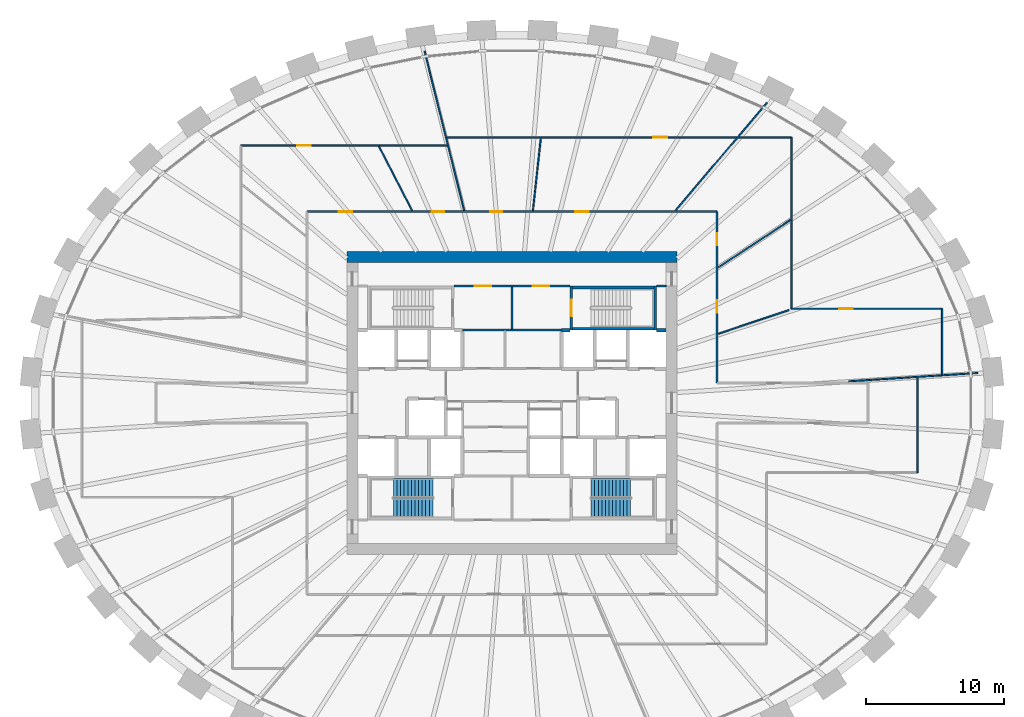
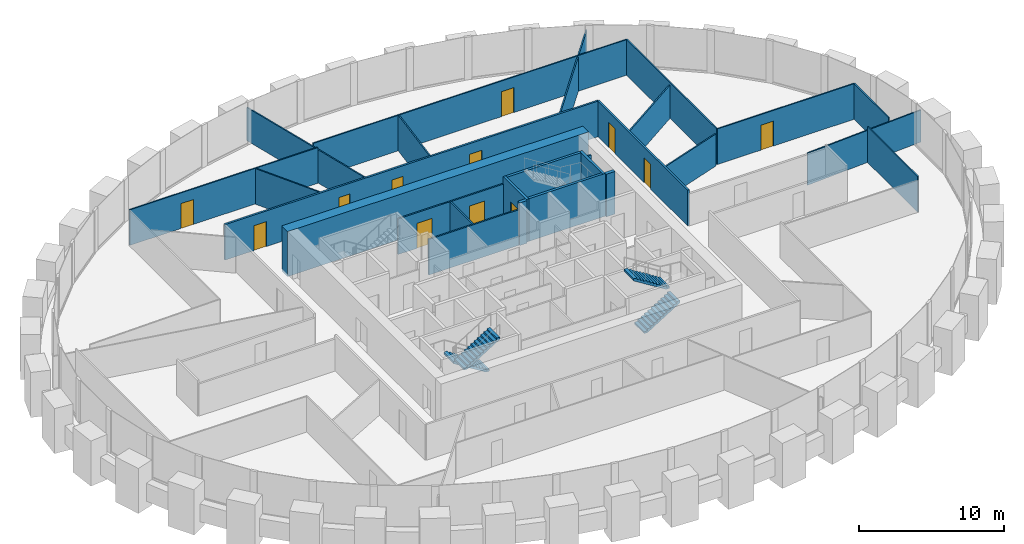
# One storey, part 9 of 11: 26 walls, 12 doors, 4 stair flights, 12 openings, 2 elements without a shape of their own.
"""IFC4 building model written with IfcOpenShell, lengths in metres."""

from ifc_helpers import new_model, si_unit, direction, frame, frame_2d, origin, place, context, subcontext, project, spatial, polyline, rectangle, outline, extrude, source, transform, mapped, material, layer, layer_set, type_object, element, fill, aggregate, save


model = new_model("IFC4")

# Units and contexts
model_context = context("Model", 3, precision=1e-05, world=origin(), true_north=direction((0.0, 1.0)))
body_context = subcontext(model_context, "Body", "Model", "MODEL_VIEW")
ifc_project = project(units=[si_unit("LENGTHUNIT", "METRE"), si_unit("AREAUNIT", "SQUARE_METRE"), si_unit("VOLUMEUNIT", "CUBIC_METRE"), si_unit("PLANEANGLEUNIT", "RADIAN"), si_unit("MASSUNIT", "GRAM", prefix="KILO")], contexts=[model_context])

# Site, building, storey
site_placement = place(None, origin())
site = spatial("IfcSite", under=ifc_project, at=site_placement, CompositionType="ELEMENT")
building_placement = place(site_placement, origin())
building = spatial("IfcBuilding", under=site, at=building_placement, Name="Embergate Tower", CompositionType="ELEMENT")
storey_placement = place(building_placement, frame((0.0, 0.0, 230.699951171875)))
storey = spatial("IfcBuildingStorey", under=building, at=storey_placement, Name="L53", CompositionType="ELEMENT", Elevation=230.699951171875)

# Walls
ifc_material_1 = material(Name="Concrete C70", Category="concrete")
ifc_layer_1 = layer(ifc_material_1, 0.800048828125)
ifc_layer_set_1 = layer_set([ifc_layer_1], Name="Concrete C70")
wall_type_1 = type_object("IfcWallType", Name="Core outer wall C70 800", PredefinedType="SHEAR", material=ifc_layer_set_1)
shared_shape_1 = source(origin(), body_context, "Body", "SweptSolid", [
    extrude(rectangle(XDim=24.0, YDim=0.800048828125, at=frame_2d((12.0, 0.0))), origin(), (0.0, 0.0, 1.0), 3.800048828125),
])
wall_1_placement = place(storey_placement, frame((-12.0, 10.60009765625, -0.199951171875), z_axis=(0.0, 0.0, 1.0), x_axis=(1.0, 0.0, 0.0)))
element("IfcWall", 1, at=wall_1_placement, inside=storey, type_object=wall_type_1, Name="CW-L53-N", PredefinedType="SHEAR", context=body_context, shape_type="MappedRepresentation", body=[
    mapped(shared_shape_1, transform((0.0, 0.0, 0.0))),
])
ifc_material_2 = material(Name="Concrete C50", Category="concrete")
ifc_layer_2 = layer(ifc_material_2, 0.199951171875)
ifc_layer_set_2 = layer_set([ifc_layer_2], Name="Concrete C50")
wall_type_2 = type_object("IfcWallType", Name="Stair enclosure wall reinforced concrete 250", PredefinedType="SHEAR", material=ifc_layer_set_2)
shared_shape_2 = source(origin(), body_context, "Body", "SweptSolid", [
    extrude(rectangle(XDim=6.300048828125, YDim=0.199951171875, at=frame_2d((3.14990234375, 0.0))), origin(), (0.0, 0.0, 1.0), 3.60009765625),
])
for number, where, z_axis, x_axis, name in (
    (2, (10.5, 5.39990234375, 0.0), (0.0, 0.0, 1.0), (-1.0, 0.0, 0.0), "SE-1 wall"),
    (3, (10.5, 8.39990234375, 0.0), (0.0, 0.0, 1.0), (-1.0, 0.0, 0.0), "SE-1 wall"),
):
    element("IfcWall", number, at=place(storey_placement, frame(where, z_axis=z_axis, x_axis=x_axis)), inside=storey, type_object=wall_type_2, Name=name, PredefinedType="SHEAR", context=body_context, shape_type="MappedRepresentation", body=[
        mapped(shared_shape_2, transform((0.0, 0.0, 0.0))),
    ])

# Wall, opening, door
shared_shape_3 = source(origin(), body_context, "Body", "SweptSolid", [
    extrude(rectangle(XDim=3.199951171875, YDim=0.199951171875, at=frame_2d((1.60009765625, 0.0))), origin(), (0.0, 0.0, 1.0), 3.60009765625),
])
wall_2_placement = place(storey_placement, frame((4.300048828125, 8.5, 0.0), z_axis=(0.0, 0.0, 1.0), x_axis=(0.0, -1.0, 0.0)))
wall_2 = element("IfcWall", 4, at=wall_2_placement, inside=storey, type_object=wall_type_2, Name="SE-1 wall", PredefinedType="SHEAR", context=body_context, shape_type="MappedRepresentation", body=[
    mapped(shared_shape_3, transform((0.0, 0.0, 0.0))),
])
shared_shape_4 = source(origin(), body_context, "Body", "SweptSolid", [
    extrude(rectangle(XDim=1.199951171875, YDim=2.10009765625, at=frame_2d((0.60009765625, 1.050048828125))), frame((0.0, 0.10986328125, 0.0), z_axis=(0.0, -1.0, 0.0), x_axis=(1.0, 0.0, 0.0)), (0.0, 0.0, 1.0), 0.219970703125),
])
opening_1_placement = place(wall_2_placement, frame((1.0, 0.0, 0.0)))
opening_1 = element("IfcOpeningElement", 5, at=opening_1_placement, cuts=wall_2, Name="Opening IF-2", PredefinedType="OPENING", context=body_context, shape_type="MappedRepresentation", body=[
    mapped(shared_shape_4, transform((0.0, 0.0, 0.0))),
])
ifc_material_3 = material(Name="Stair enclosure door 1200")
door_type_1 = type_object("IfcDoorType", Name="Stair enclosure door 1200", OperationType="SINGLE_SWING_LEFT", PredefinedType="DOOR", material=ifc_material_3)
shared_shape_5 = source(origin(), body_context, "Body", "SweptSolid", [
    extrude(rectangle(XDim=1.199951171875, YDim=2.10009765625, at=frame_2d((0.60009765625, 1.050048828125))), frame((0.0, 0.02490234375, 0.0), z_axis=(0.0, -1.0, 0.0), x_axis=(1.0, 0.0, 0.0)), (0.0, 0.0, 1.0), 0.050048828125),
])
door_1_placement = place(opening_1_placement, origin())
door_1 = element("IfcDoor", 6, at=door_1_placement, inside=storey, type_object=door_type_1, Name="IF-2 door", OperationType="SINGLE_SWING_RIGHT", OverallHeight=2.10009765625, OverallWidth=1.199951171875, PredefinedType="DOOR", context=body_context, shape_type="MappedRepresentation", body=[
    mapped(shared_shape_5, transform((0.0, 0.0, 0.0))),
])
fill(opening_1, door_1)

# Wall, openings, doors
ifc_material_4 = material(Name="Core partition blockwork 120")
ifc_layer_3 = layer(ifc_material_4, 0.1201171875)
ifc_layer_set_3 = layer_set([ifc_layer_3], Name="Core partition blockwork 120")
wall_type_3 = type_object("IfcWallType", Name="Core partition blockwork 120", PredefinedType="PARTITIONING", material=ifc_layer_set_3)
shared_shape_6 = source(origin(), body_context, "Body", "SweptSolid", [
    extrude(rectangle(XDim=8.39990234375, YDim=0.1201171875, at=frame_2d((4.199951171875, 0.0))), origin(), (0.0, 0.0, 1.0), 3.0),
])
wall_3_placement = place(storey_placement, frame((4.199951171875, 8.5, 0.0), z_axis=(0.0, 0.0, 1.0), x_axis=(-1.0, 0.0, 0.0)))
wall_3 = element("IfcWall", 7, at=wall_3_placement, inside=storey, type_object=wall_type_3, Name="IP-3 wall", PredefinedType="PARTITIONING", context=body_context, shape_type="MappedRepresentation", body=[
    mapped(shared_shape_6, transform((0.0, 0.0, 0.0))),
])
shared_shape_7 = source(origin(), body_context, "Body", "SweptSolid", [
    extrude(rectangle(XDim=1.199951171875, YDim=2.10009765625, at=frame_2d((0.60009765625, 1.050048828125))), frame((0.0, 0.070068359375, 0.0), z_axis=(0.0, -1.0, 0.0), x_axis=(1.0, 0.0, 0.0)), (0.0, 0.0, 1.0), 0.14013671875),
])
opening_2_placement = place(wall_3_placement, frame((5.699951171875, 0.0, 0.0)))
opening_2 = element("IfcOpeningElement", 8, at=opening_2_placement, cuts=wall_3, Name="Opening IF-3f", PredefinedType="OPENING", context=body_context, shape_type="MappedRepresentation", body=[
    mapped(shared_shape_7, transform((0.0, 0.0, 0.0))),
])
opening_3_placement = place(wall_3_placement, frame((1.5, 0.0, 0.0)))
opening_3 = element("IfcOpeningElement", 9, at=opening_3_placement, cuts=wall_3, Name="Opening IF-3f", PredefinedType="OPENING", context=body_context, shape_type="MappedRepresentation", body=[
    mapped(shared_shape_7, transform((0.0, 0.0, 0.0))),
])
ifc_material_5 = material(Name="Lobby fire door pair 1200")
door_type_2 = type_object("IfcDoorType", Name="Lobby fire door pair 1200", OperationType="DOUBLE_DOOR_SINGLE_SWING", PredefinedType="DOOR", material=ifc_material_5)
door_2_placement = place(opening_2_placement, origin())
door_2 = element("IfcDoor", 10, at=door_2_placement, inside=storey, type_object=door_type_2, Name="IF-3 door", OperationType="DOUBLE_DOOR_SINGLE_SWING", OverallHeight=2.10009765625, OverallWidth=1.199951171875, PredefinedType="DOOR", context=body_context, shape_type="MappedRepresentation", body=[
    mapped(shared_shape_5, transform((0.0, 0.0, 0.0))),
])
fill(opening_2, door_2)
door_3_placement = place(opening_3_placement, origin())
door_3 = element("IfcDoor", 11, at=door_3_placement, inside=storey, type_object=door_type_2, Name="IF-3 door", OperationType="DOUBLE_DOOR_SINGLE_SWING", OverallHeight=2.10009765625, OverallWidth=1.199951171875, PredefinedType="DOOR", context=body_context, shape_type="MappedRepresentation", body=[
    mapped(shared_shape_5, transform((0.0, 0.0, 0.0))),
])
fill(opening_3, door_3)

# Walls
ifc_layer_4 = layer(ifc_material_2, 0.25)
ifc_layer_set_4 = layer_set([ifc_layer_4], Name="Concrete C50")
wall_type_4 = type_object("IfcWallType", Name="Hoistway wall reinforced concrete 250", PredefinedType="SHEAR", material=ifc_layer_set_4)
shared_shape_8 = source(origin(), body_context, "Body", "SweptSolid", [
    extrude(rectangle(XDim=0.599853515625, YDim=0.25, at=frame_2d((0.2998046875, 0.0))), origin(), (0.0, 0.0, 1.0), 3.60009765625),
])
wall_4_placement = place(storey_placement, frame((4.199951171875, 5.300048828125, 0.0), z_axis=(0.0, 0.0, 1.0), x_axis=(-1.0, 0.0, 0.0)))
element("IfcWall", 12, at=wall_4_placement, inside=storey, type_object=wall_type_4, Name="HW-1 wall", PredefinedType="SHEAR", context=body_context, shape_type="MappedRepresentation", body=[
    mapped(shared_shape_8, transform((0.0, 0.0, 0.0))),
])
shared_shape_9 = source(origin(), body_context, "Body", "SweptSolid", [
    extrude(rectangle(XDim=7.2001953125, YDim=0.1201171875, at=frame_2d((3.60009765625, 0.0))), origin(), (0.0, 0.0, 1.0), 3.0),
])
wall_5_placement = place(storey_placement, frame((-3.60009765625, 5.300048828125, 0.0), z_axis=(0.0, 0.0, 1.0), x_axis=(1.0, 0.0, 0.0)))
element("IfcWall", 13, at=wall_5_placement, inside=storey, type_object=wall_type_3, Name="IP-3 wall", PredefinedType="PARTITIONING", context=body_context, shape_type="MappedRepresentation", body=[
    mapped(shared_shape_9, transform((0.0, 0.0, 0.0))),
])
shared_shape_10 = source(origin(), body_context, "Body", "SweptSolid", [
    extrude(rectangle(XDim=3.079833984375, YDim=0.1201171875, at=frame_2d((1.5400390625, 0.0))), origin(), (0.0, 0.0, 1.0), 3.0),
])
wall_6_placement = place(storey_placement, frame((0.0, 5.360107421875, 0.0), z_axis=(0.0, 0.0, 1.0), x_axis=(0.0, 1.0, 0.0)))
element("IfcWall", 14, at=wall_6_placement, inside=storey, type_object=wall_type_3, Name="IP-3 wall", PredefinedType="PARTITIONING", context=body_context, shape_type="MappedRepresentation", body=[
    mapped(shared_shape_10, transform((0.0, 0.0, 0.0))),
])
shared_shape_11 = source(origin(), body_context, "Body", "SweptSolid", [
    extrude(rectangle(XDim=3.196044921875, YDim=0.199951171875, at=frame_2d((1.59814453125, 0.0))), origin(), (0.0, 0.0, 1.0), 3.60009765625),
])
wall_7_placement = place(storey_placement, frame((10.39990234375, 5.302001953125, 0.0), z_axis=(0.0, 0.0, 1.0), x_axis=(0.0, 1.0, 0.0)))
element("IfcWall", 15, at=wall_7_placement, inside=storey, type_object=wall_type_2, Name="SE-1 wall", PredefinedType="SHEAR", context=body_context, shape_type="MappedRepresentation", body=[
    mapped(shared_shape_11, transform((0.0, 0.0, 0.0))),
])
shared_shape_12 = source(origin(), body_context, "Body", "SweptSolid", [
    extrude(rectangle(XDim=0.697998046875, YDim=0.25, at=frame_2d((0.34912109375, 0.0))), origin(), (0.0, 0.0, 1.0), 3.60009765625),
])
wall_8_placement = place(storey_placement, frame((11.199951171875, 5.300048828125, 0.0), z_axis=(0.0, 0.0, 1.0), x_axis=(-1.0, 0.0, 0.0)))
element("IfcWall", 16, at=wall_8_placement, inside=storey, type_object=wall_type_4, Name="HW-1 wall", PredefinedType="SHEAR", context=body_context, shape_type="MappedRepresentation", body=[
    mapped(shared_shape_12, transform((0.0, 0.0, 0.0))),
])
shared_shape_13 = source(origin(), body_context, "Body", "SweptSolid", [
    extrude(rectangle(XDim=0.697998046875, YDim=0.1201171875, at=frame_2d((0.34912109375, 0.0))), origin(), (0.0, 0.0, 1.0), 3.0),
])
wall_9_placement = place(storey_placement, frame((10.501953125, 8.5, 0.0), z_axis=(0.0, 0.0, 1.0), x_axis=(1.0, 0.0, 0.0)))
element("IfcWall", 17, at=wall_9_placement, inside=storey, type_object=wall_type_3, Name="IP-3 wall", PredefinedType="PARTITIONING", context=body_context, shape_type="MappedRepresentation", body=[
    mapped(shared_shape_13, transform((0.0, 0.0, 0.0))),
])

# Wall, opening, door
ifc_material_6 = material(Name="Partition dry-lined 100")
ifc_layer_5 = layer(ifc_material_6, 0.10009765625)
ifc_layer_set_5 = layer_set([ifc_layer_5], Name="Partition dry-lined 100")
wall_type_5 = type_object("IfcWallType", Name="Partition dry-lined 100", PredefinedType="PARTITIONING", material=ifc_layer_set_5)
shared_shape_14 = source(origin(), body_context, "Body", "SweptSolid", [
    extrude(rectangle(XDim=10.949951171875, YDim=0.10009765625, at=frame_2d((5.47509765625, 0.0))), origin(), (0.0, 0.0, 1.0), 3.0),
])
wall_10_placement = place(storey_placement, frame((20.300048828125, 6.85009765625, 0.0), z_axis=(0.0, 0.0, 1.0), x_axis=(1.0, 0.0, 0.0)))
wall_10 = element("IfcWall", 18, at=wall_10_placement, inside=storey, type_object=wall_type_5, Name="IP-1 wall", PredefinedType="PARTITIONING", context=body_context, shape_type="MappedRepresentation", body=[
    mapped(shared_shape_14, transform((0.0, 0.0, 0.0))),
])
shared_shape_15 = source(origin(), body_context, "Body", "SweptSolid", [
    extrude(rectangle(XDim=1.0, YDim=2.10009765625, at=frame_2d((0.5, 1.050048828125))), frame((0.0, 0.06005859375, 0.0), z_axis=(0.0, -1.0, 0.0), x_axis=(1.0, 0.0, 0.0)), (0.0, 0.0, 1.0), 0.1201171875),
])
opening_4_placement = place(wall_10_placement, frame((3.45703125, 0.0, 0.0)))
opening_4 = element("IfcOpeningElement", 19, at=opening_4_placement, cuts=wall_10, Name="Opening ID-2", PredefinedType="OPENING", context=body_context, shape_type="MappedRepresentation", body=[
    mapped(shared_shape_15, transform((0.0, 0.0, 0.0))),
])
ifc_material_7 = material(Name="Interior door 1000")
door_type_3 = type_object("IfcDoorType", Name="Interior door 1000", OperationType="SINGLE_SWING_LEFT", PredefinedType="DOOR", material=ifc_material_7)
shared_shape_16 = source(origin(), body_context, "Body", "SweptSolid", [
    extrude(rectangle(XDim=1.0, YDim=2.10009765625, at=frame_2d((0.5, 1.050048828125))), frame((0.0, 0.02490234375, 0.0), z_axis=(0.0, -1.0, 0.0), x_axis=(1.0, 0.0, 0.0)), (0.0, 0.0, 1.0), 0.050048828125),
])
door_4_placement = place(opening_4_placement, origin())
door_4 = element("IfcDoor", 20, at=door_4_placement, inside=storey, type_object=door_type_3, Name="ID-2 door", OperationType="SINGLE_SWING_LEFT", OverallHeight=2.10009765625, OverallWidth=1.0, PredefinedType="DOOR", context=body_context, shape_type="MappedRepresentation", body=[
    mapped(shared_shape_16, transform((0.0, 0.0, 0.0))),
])
fill(opening_4, door_4)

# Wall, openings, doors
ifc_material_8 = material(Name="Corridor wall dry-lined 150")
ifc_layer_6 = layer(ifc_material_8, 0.14990234375)
ifc_layer_set_6 = layer_set([ifc_layer_6], Name="Corridor wall dry-lined 150")
wall_type_6 = type_object("IfcWallType", Name="Corridor wall dry-lined 150", PredefinedType="PARTITIONING", material=ifc_layer_set_6)
shared_shape_17 = source(origin(), body_context, "Body", "SweptSolid", [
    extrude(rectangle(XDim=29.7998046875, YDim=0.14990234375, at=frame_2d((14.89990234375, 0.0))), origin(), (0.0, 0.0, 1.0), 3.0),
])
wall_11_placement = place(storey_placement, frame((-14.89990234375, 13.89990234375, 0.0), z_axis=(0.0, 0.0, 1.0), x_axis=(1.0, 0.0, 0.0)))
wall_11 = element("IfcWall", 21, at=wall_11_placement, inside=storey, type_object=wall_type_6, Name="IP-2 wall", PredefinedType="PARTITIONING", context=body_context, shape_type="MappedRepresentation", body=[
    mapped(shared_shape_17, transform((0.0, 0.0, 0.0))),
])
shared_shape_18 = source(origin(), body_context, "Body", "SweptSolid", [
    extrude(rectangle(XDim=1.0, YDim=2.10009765625, at=frame_2d((0.5, 1.050048828125))), frame((0.0, 0.0849609375, 0.0), z_axis=(0.0, -1.0, 0.0), x_axis=(1.0, 0.0, 0.0)), (0.0, 0.0, 1.0), 0.169921875),
])
opening_5_placement = place(wall_11_placement, frame((19.492919921875, 0.0, 0.0)))
opening_5 = element("IfcOpeningElement", 22, at=opening_5_placement, cuts=wall_11, Name="Opening ID-2", PredefinedType="OPENING", context=body_context, shape_type="MappedRepresentation", body=[
    mapped(shared_shape_18, transform((0.0, 0.0, 0.0))),
])
shared_shape_19 = source(origin(), body_context, "Body", "SweptSolid", [
    extrude(rectangle(XDim=0.89990234375, YDim=2.10009765625, at=frame_2d((0.449951171875, 1.050048828125))), frame((0.0, 0.0849609375, 0.0), z_axis=(0.0, -1.0, 0.0), x_axis=(1.0, 0.0, 0.0)), (0.0, 0.0, 1.0), 0.169921875),
])
opening_6_placement = place(wall_11_placement, frame((13.305908203125, 0.0, 0.0)))
opening_6 = element("IfcOpeningElement", 23, at=opening_6_placement, cuts=wall_11, Name="Opening IF-1c", PredefinedType="OPENING", context=body_context, shape_type="MappedRepresentation", body=[
    mapped(shared_shape_19, transform((0.0, 0.0, 0.0))),
])
opening_7_placement = place(wall_11_placement, frame((9.073974609375, 0.0, 0.0)))
opening_7 = element("IfcOpeningElement", 24, at=opening_7_placement, cuts=wall_11, Name="Opening IF-1c", PredefinedType="OPENING", context=body_context, shape_type="MappedRepresentation", body=[
    mapped(shared_shape_19, transform((0.0, 0.0, 0.0))),
])
opening_8_placement = place(wall_11_placement, frame((2.31005859375, 0.0, 0.0)))
opening_8 = element("IfcOpeningElement", 25, at=opening_8_placement, cuts=wall_11, Name="Opening ID-2", PredefinedType="OPENING", context=body_context, shape_type="MappedRepresentation", body=[
    mapped(shared_shape_18, transform((0.0, 0.0, 0.0))),
])
ifc_material_9 = material(Name="Escape fire door 900")
door_type_4 = type_object("IfcDoorType", Name="Escape fire door 900", OperationType="SINGLE_SWING_LEFT", PredefinedType="DOOR", material=ifc_material_9)
shared_shape_20 = source(origin(), body_context, "Body", "SweptSolid", [
    extrude(rectangle(XDim=0.89990234375, YDim=2.10009765625, at=frame_2d((0.449951171875, 1.050048828125))), frame((0.0, 0.02490234375, 0.0), z_axis=(0.0, -1.0, 0.0), x_axis=(1.0, 0.0, 0.0)), (0.0, 0.0, 1.0), 0.050048828125),
])
door_5_placement = place(opening_6_placement, origin())
door_5 = element("IfcDoor", 26, at=door_5_placement, inside=storey, type_object=door_type_4, Name="IF-1 door", OperationType="SINGLE_SWING_RIGHT", OverallHeight=2.10009765625, OverallWidth=0.89990234375, PredefinedType="DOOR", context=body_context, shape_type="MappedRepresentation", body=[
    mapped(shared_shape_20, transform((0.0, 0.0, 0.0))),
])
fill(opening_6, door_5)
door_6_placement = place(opening_7_placement, origin())
door_6 = element("IfcDoor", 27, at=door_6_placement, inside=storey, type_object=door_type_4, Name="IF-1 door", OperationType="SINGLE_SWING_RIGHT", OverallHeight=2.10009765625, OverallWidth=0.89990234375, PredefinedType="DOOR", context=body_context, shape_type="MappedRepresentation", body=[
    mapped(shared_shape_20, transform((0.0, 0.0, 0.0))),
])
fill(opening_7, door_6)
door_7_placement = place(opening_5_placement, origin())
door_7 = element("IfcDoor", 28, at=door_7_placement, inside=storey, type_object=door_type_3, Name="ID-2 door", OperationType="SINGLE_SWING_LEFT", OverallHeight=2.10009765625, OverallWidth=1.0, PredefinedType="DOOR", context=body_context, shape_type="MappedRepresentation", body=[
    mapped(shared_shape_16, transform((0.0, 0.0, 0.0))),
])
fill(opening_5, door_7)
door_8_placement = place(opening_8_placement, origin())
door_8 = element("IfcDoor", 29, at=door_8_placement, inside=storey, type_object=door_type_3, Name="ID-2 door", OperationType="SINGLE_SWING_RIGHT", OverallHeight=2.10009765625, OverallWidth=1.0, PredefinedType="DOOR", context=body_context, shape_type="MappedRepresentation", body=[
    mapped(shared_shape_16, transform((0.0, 0.0, 0.0))),
])
fill(opening_8, door_8)

shared_shape_21 = source(origin(), body_context, "Body", "SweptSolid", [
    extrude(rectangle(XDim=12.449951171875, YDim=0.14990234375, at=frame_2d((6.22509765625, 0.0))), origin(), (0.0, 0.0, 1.0), 3.0),
])
wall_12_placement = place(storey_placement, frame((14.89990234375, 1.449951171875, 0.0), z_axis=(0.0, 0.0, 1.0), x_axis=(0.0, 1.0, 0.0)))
wall_12 = element("IfcWall", 30, at=wall_12_placement, inside=storey, type_object=wall_type_6, Name="IP-2 wall", PredefinedType="PARTITIONING", context=body_context, shape_type="MappedRepresentation", body=[
    mapped(shared_shape_21, transform((0.0, 0.0, 0.0))),
])
opening_9_placement = place(wall_12_placement, frame((5.10302734375, 0.0, 0.0)))
opening_9 = element("IfcOpeningElement", 31, at=opening_9_placement, cuts=wall_12, Name="Opening IF-1c", PredefinedType="OPENING", context=body_context, shape_type="MappedRepresentation", body=[
    mapped(shared_shape_19, transform((0.0, 0.0, 0.0))),
])
opening_10_placement = place(wall_12_placement, frame((9.9990234375, 0.0, 0.0)))
opening_10 = element("IfcOpeningElement", 32, at=opening_10_placement, cuts=wall_12, Name="Opening IF-1c", PredefinedType="OPENING", context=body_context, shape_type="MappedRepresentation", body=[
    mapped(shared_shape_19, transform((0.0, 0.0, 0.0))),
])
door_9_placement = place(opening_9_placement, origin())
door_9 = element("IfcDoor", 33, at=door_9_placement, inside=storey, type_object=door_type_4, Name="IF-1 door", OperationType="SINGLE_SWING_RIGHT", OverallHeight=2.10009765625, OverallWidth=0.89990234375, PredefinedType="DOOR", context=body_context, shape_type="MappedRepresentation", body=[
    mapped(shared_shape_20, transform((0.0, 0.0, 0.0))),
])
fill(opening_9, door_9)
door_10_placement = place(opening_10_placement, origin())
door_10 = element("IfcDoor", 34, at=door_10_placement, inside=storey, type_object=door_type_4, Name="IF-1 door", OperationType="SINGLE_SWING_RIGHT", OverallHeight=2.10009765625, OverallWidth=0.89990234375, PredefinedType="DOOR", context=body_context, shape_type="MappedRepresentation", body=[
    mapped(shared_shape_20, transform((0.0, 0.0, 0.0))),
])
fill(opening_10, door_10)

# Walls
shared_shape_22 = source(origin(), body_context, "Body", "SweptSolid", [
    extrude(rectangle(XDim=10.236083984375, YDim=0.10009765625, at=frame_2d((5.1181640625, 0.0))), origin(), (0.0, 0.0, 1.0), 2.900146484375),
])
wall_13_placement = place(storey_placement, frame((11.89306640625, 14.007080078125, 0.0), z_axis=(0.0, 0.0, 1.0), x_axis=(0.647221146286, 0.762302294238, 0.0)))
element("IfcWall", 35, at=wall_13_placement, inside=storey, type_object=wall_type_5, Name="IP-1 wall", PredefinedType="PARTITIONING", context=body_context, shape_type="MappedRepresentation", body=[
    mapped(shared_shape_22, transform((0.0, 0.0, 0.0))),
])
shared_shape_23 = source(origin(), body_context, "Body", "SweptSolid", [
    extrude(rectangle(XDim=12.449951171875, YDim=0.10009765625, at=frame_2d((6.22509765625, 0.0))), origin(), (0.0, 0.0, 1.0), 3.0),
])
wall_14_placement = place(storey_placement, frame((20.300048828125, 19.300048828125, 0.0), z_axis=(0.0, 0.0, 1.0), x_axis=(0.0, -1.0, 0.0)))
element("IfcWall", 36, at=wall_14_placement, inside=storey, type_object=wall_type_5, Name="IP-1 wall", PredefinedType="PARTITIONING", context=body_context, shape_type="MappedRepresentation", body=[
    mapped(shared_shape_23, transform((0.0, 0.0, 0.0))),
])
shared_shape_24 = source(origin(), body_context, "Body", "SweptSolid", [
    extrude(rectangle(XDim=6.89697265625, YDim=0.10009765625, at=frame_2d((3.448486328125, 0.0))), origin(), (0.0, 0.0, 1.0), 3.0),
])
wall_15_placement = place(storey_placement, frame((29.449951171875, -5.050048828125, 0.0), z_axis=(0.0, 0.0, 1.0), x_axis=(0.0, 1.0, 0.0)))
element("IfcWall", 37, at=wall_15_placement, inside=storey, type_object=wall_type_5, Name="IP-1 wall", PredefinedType="PARTITIONING", context=body_context, shape_type="MappedRepresentation", body=[
    mapped(shared_shape_24, transform((0.0, 0.0, 0.0))),
])
shared_shape_25 = source(origin(), body_context, "Body", "SweptSolid", [
    extrude(rectangle(XDim=9.401611328125, YDim=0.10009765625, at=frame_2d((4.70068359375, 0.0))), origin(), (0.0, 0.0, 1.0), 2.699951171875),
])
wall_16_placement = place(storey_placement, frame((33.8349609375, 2.178955078125, 0.0), z_axis=(0.0, 0.0, 1.0), x_axis=(-0.997934126107, -0.064245466392, 0.0)))
element("IfcWall", 38, at=wall_16_placement, inside=storey, type_object=wall_type_5, Name="IP-1 wall", PredefinedType="PARTITIONING", context=body_context, shape_type="MappedRepresentation", body=[
    mapped(shared_shape_25, transform((0.0, 0.0, 0.0))),
])
shared_shape_26 = source(origin(), body_context, "Body", "SweptSolid", [
    extrude(rectangle(XDim=5.4072265625, YDim=0.10009765625, at=frame_2d((2.70361328125, 0.0))), origin(), (0.0, 0.0, 1.0), 2.699951171875),
])
wall_17_placement = place(storey_placement, frame((14.990966796875, 5.031982421875, 0.0), z_axis=(0.0, 0.0, 1.0), x_axis=(0.947999306644, 0.318272390576, 0.0)))
element("IfcWall", 39, at=wall_17_placement, inside=storey, type_object=wall_type_5, Name="IP-1 wall", PredefinedType="PARTITIONING", context=body_context, shape_type="MappedRepresentation", body=[
    mapped(shared_shape_26, transform((0.0, 0.0, 0.0))),
])
shared_shape_27 = source(origin(), body_context, "Body", "SweptSolid", [
    extrude(rectangle(XDim=4.787109375, YDim=0.10009765625, at=frame_2d((2.3935546875, 0.0))), origin(), (0.0, 0.0, 1.0), 3.0),
])
wall_18_placement = place(storey_placement, frame((31.25, 6.85009765625, 0.0), z_axis=(0.0, 0.0, 1.0), x_axis=(0.0, -1.0, 0.0)))
element("IfcWall", 40, at=wall_18_placement, inside=storey, type_object=wall_type_5, Name="IP-1 wall", PredefinedType="PARTITIONING", context=body_context, shape_type="MappedRepresentation", body=[
    mapped(shared_shape_27, transform((0.0, 0.0, 0.0))),
])
shared_shape_28 = source(origin(), body_context, "Body", "SweptSolid", [
    extrude(rectangle(XDim=6.247802734375, YDim=0.10009765625, at=frame_2d((3.1240234375, 0.0))), origin(), (0.0, 0.0, 1.0), 2.800048828125),
])
wall_19_placement = place(storey_placement, frame((15.001953125, 9.862060546875, 0.0), z_axis=(0.0, 0.0, 1.0), x_axis=(0.835633737259, 0.549287044408, 0.0)))
element("IfcWall", 41, at=wall_19_placement, inside=storey, type_object=wall_type_5, Name="IP-1 wall", PredefinedType="PARTITIONING", context=body_context, shape_type="MappedRepresentation", body=[
    mapped(shared_shape_28, transform((0.0, 0.0, 0.0))),
])

# Wall, opening, door
shared_shape_29 = source(origin(), body_context, "Body", "SweptSolid", [
    extrude(rectangle(XDim=25.030029296875, YDim=0.10009765625, at=frame_2d((12.51513671875, 0.0))), origin(), (0.0, 0.0, 1.0), 3.0),
])
wall_20_placement = place(storey_placement, frame((-4.72998046875, 19.300048828125, 0.0), z_axis=(0.0, 0.0, 1.0), x_axis=(1.0, 0.0, 0.0)))
wall_20 = element("IfcWall", 42, at=wall_20_placement, inside=storey, type_object=wall_type_5, Name="IP-1 wall", PredefinedType="PARTITIONING", context=body_context, shape_type="MappedRepresentation", body=[
    mapped(shared_shape_29, transform((0.0, 0.0, 0.0))),
])
opening_11_placement = place(wall_20_placement, frame((14.99560546875, 0.0, 0.0)))
opening_11 = element("IfcOpeningElement", 43, at=opening_11_placement, cuts=wall_20, Name="Opening ID-2", PredefinedType="OPENING", context=body_context, shape_type="MappedRepresentation", body=[
    mapped(shared_shape_15, transform((0.0, 0.0, 0.0))),
])
door_11_placement = place(opening_11_placement, origin())
door_11 = element("IfcDoor", 44, at=door_11_placement, inside=storey, type_object=door_type_3, Name="ID-2 door", OperationType="SINGLE_SWING_RIGHT", OverallHeight=2.10009765625, OverallWidth=1.0, PredefinedType="DOOR", context=body_context, shape_type="MappedRepresentation", body=[
    mapped(shared_shape_16, transform((0.0, 0.0, 0.0))),
])
fill(opening_11, door_11)

# Walls
shared_shape_30 = source(origin(), body_context, "Body", "SweptSolid", [
    extrude(rectangle(XDim=5.296142578125, YDim=0.10009765625, at=frame_2d((2.64794921875, 0.0))), origin(), (0.0, 0.0, 1.0), 3.0),
])
wall_21_placement = place(storey_placement, frame((1.52001953125, 13.97998046875, 0.0), z_axis=(0.0, 0.0, 1.0), x_axis=(0.108189913904, 0.994130244248, 0.0)))
element("IfcWall", 45, at=wall_21_placement, inside=storey, type_object=wall_type_5, Name="IP-1 wall", PredefinedType="PARTITIONING", context=body_context, shape_type="MappedRepresentation", body=[
    mapped(shared_shape_30, transform((0.0, 0.0, 0.0))),
])
shared_shape_31 = source(origin(), body_context, "Body", "SweptSolid", [
    extrude(rectangle(XDim=11.931640625, YDim=0.10009765625, at=frame_2d((5.9658203125, 0.0))), origin(), (0.0, 0.0, 1.0), 2.800048828125),
])
wall_22_placement = place(storey_placement, frame((-3.47412109375, 13.987060546875, 0.0), z_axis=(0.0, 0.0, 1.0), x_axis=(-0.24103802615, 0.970515672182, 0.0)))
element("IfcWall", 46, at=wall_22_placement, inside=storey, type_object=wall_type_5, Name="IP-1 wall", PredefinedType="PARTITIONING", context=body_context, shape_type="MappedRepresentation", body=[
    mapped(shared_shape_31, transform((0.0, 0.0, 0.0))),
])
shared_shape_32 = source(origin(), body_context, "Body", "SweptSolid", [
    extrude(rectangle(XDim=5.214111328125, YDim=0.10009765625, at=frame_2d((2.60693359375, 0.0))), origin(), (0.0, 0.0, 1.0), 3.0),
])
wall_23_placement = place(storey_placement, frame((-7.260009765625, 13.998046875, 0.0), z_axis=(0.0, 0.0, 1.0), x_axis=(-0.460276161661, 0.887775790955, 0.0)))
element("IfcWall", 47, at=wall_23_placement, inside=storey, type_object=wall_type_5, Name="IP-1 wall", PredefinedType="PARTITIONING", context=body_context, shape_type="MappedRepresentation", body=[
    mapped(shared_shape_32, transform((0.0, 0.0, 0.0))),
])

# Wall, opening, door
shared_shape_33 = source(origin(), body_context, "Body", "SweptSolid", [
    extrude(rectangle(XDim=14.990966796875, YDim=0.10009765625, at=frame_2d((7.49560546875, 0.0))), origin(), (0.0, 0.0, 1.0), 3.0),
])
wall_24_placement = place(storey_placement, frame((-19.699951171875, 18.699951171875, 0.0), z_axis=(0.0, 0.0, 1.0), x_axis=(1.0, 0.0, 0.0)))
wall_24 = element("IfcWall", 48, at=wall_24_placement, inside=storey, type_object=wall_type_5, Name="IP-1 wall", PredefinedType="PARTITIONING", context=body_context, shape_type="MappedRepresentation", body=[
    mapped(shared_shape_33, transform((0.0, 0.0, 0.0))),
])
opening_12_placement = place(wall_24_placement, frame((4.0810546875, 0.0, 0.0)))
opening_12 = element("IfcOpeningElement", 49, at=opening_12_placement, cuts=wall_24, Name="Opening ID-2", PredefinedType="OPENING", context=body_context, shape_type="MappedRepresentation", body=[
    mapped(shared_shape_15, transform((0.0, 0.0, 0.0))),
])
door_12_placement = place(opening_12_placement, origin())
door_12 = element("IfcDoor", 50, at=door_12_placement, inside=storey, type_object=door_type_3, Name="ID-2 door", OperationType="SINGLE_SWING_LEFT", OverallHeight=2.10009765625, OverallWidth=1.0, PredefinedType="DOOR", context=body_context, shape_type="MappedRepresentation", body=[
    mapped(shared_shape_16, transform((0.0, 0.0, 0.0))),
])
fill(opening_12, door_12)

# Stair, stair flights
ifc_material_10 = material(Name="Exit stair")
stair_type = type_object("IfcStairType", Name="Exit stair", PredefinedType="HALF_TURN_STAIR", material=ifc_material_10)
stair_1_placement = place(storey_placement, origin())
stair_1 = element("IfcStair", 51, at=stair_1_placement, inside=storey, type_object=stair_type, Name="L53 Exit stair 3", PredefinedType="HALF_TURN_STAIR")
ifc_material_11 = material(Name="Concrete C40", Category="concrete")
stair_flight_type = type_object("IfcStairFlightType", Name="Stair flight reinforced concrete", PredefinedType="STRAIGHT", material=ifc_material_11)
shared_shape_34 = source(origin(), body_context, "Body", "SweptSolid", [
    extrude(outline(polyline([(0.0, 0.0), (0.0, 0.16259765625), (0.260009765625, 0.16259765625), (0.260009765625, 0.324951171875), (0.52001953125, 0.324951171875), (0.52001953125, 0.487548828125), (0.780029296875, 0.487548828125), (0.780029296875, 0.64990234375), (1.0400390625, 0.64990234375), (1.0400390625, 0.8125), (1.300048828125, 0.8125), (1.300048828125, 0.97509765625), (1.56005859375, 0.97509765625), (1.56005859375, 1.137451171875), (1.820068359375, 1.137451171875), (1.820068359375, 1.300048828125), (2.080078125, 1.300048828125), (2.080078125, 1.46240234375), (2.340087890625, 1.46240234375), (2.340087890625, 1.625), (2.60009765625, 1.625), (2.60009765625, 1.78759765625), (2.860107421875, 1.78759765625), (2.860107421875, 1.949951171875), (2.860107421875, 1.61083984375), (0.28271484375, 0.0), (0.0, 0.0)])), frame((0.0, 0.675048828125, 0.0), z_axis=(0.0, -1.0, 0.0), x_axis=(1.0, 0.0, 0.0)), (0.0, 0.0, 1.0), 1.35009765625),
])
stair_flight_1_placement = place(storey_placement, frame((-5.75, -6.175048828125, 0.0), z_axis=(0.0, 0.0, 1.0), x_axis=(-1.0, 0.0, 0.0)))
stair_flight_1 = element("IfcStairFlight", 52, at=stair_flight_1_placement, type_object=stair_flight_type, Name="ST3 flight 1", NumberOfRisers=12, NumberOfTreads=11, PredefinedType="STRAIGHT", RiserHeight=0.1625, TreadLength=0.26, context=body_context, shape_type="MappedRepresentation", body=[
    mapped(shared_shape_34, transform((0.0, 0.0, 0.0))),
])
stair_flight_2_placement = place(storey_placement, frame((-8.610107421875, -7.625, 1.949951171875), z_axis=(0.0, 0.0, 1.0), x_axis=(1.0, 0.0, 0.0)))
stair_flight_2 = element("IfcStairFlight", 53, at=stair_flight_2_placement, type_object=stair_flight_type, Name="ST3 flight 2", NumberOfRisers=12, NumberOfTreads=11, PredefinedType="STRAIGHT", RiserHeight=0.1625, TreadLength=0.26, context=body_context, shape_type="MappedRepresentation", body=[
    mapped(shared_shape_34, transform((0.0, 0.0, 0.0))),
])
aggregate(stair_1, [stair_flight_1, stair_flight_2])

stair_2_placement = place(storey_placement, origin())
stair_2 = element("IfcStair", 54, at=stair_2_placement, inside=storey, type_object=stair_type, Name="L53 Exit stair 4", PredefinedType="HALF_TURN_STAIR")
stair_flight_3_placement = place(storey_placement, frame((5.75, -7.625, 0.0), z_axis=(0.0, 0.0, 1.0), x_axis=(1.0, 0.0, 0.0)))
stair_flight_3 = element("IfcStairFlight", 55, at=stair_flight_3_placement, type_object=stair_flight_type, Name="ST4 flight 1", NumberOfRisers=12, NumberOfTreads=11, PredefinedType="STRAIGHT", RiserHeight=0.1625, TreadLength=0.26, context=body_context, shape_type="MappedRepresentation", body=[
    mapped(shared_shape_34, transform((0.0, 0.0, 0.0))),
])
stair_flight_4_placement = place(storey_placement, frame((8.610107421875, -6.175048828125, 1.949951171875), z_axis=(0.0, 0.0, 1.0), x_axis=(-1.0, 0.0, 0.0)))
stair_flight_4 = element("IfcStairFlight", 56, at=stair_flight_4_placement, type_object=stair_flight_type, Name="ST4 flight 2", NumberOfRisers=12, NumberOfTreads=11, PredefinedType="STRAIGHT", RiserHeight=0.1625, TreadLength=0.26, context=body_context, shape_type="MappedRepresentation", body=[
    mapped(shared_shape_34, transform((0.0, 0.0, 0.0))),
])
aggregate(stair_2, [stair_flight_3, stair_flight_4])

save(model, "model.ifc")
